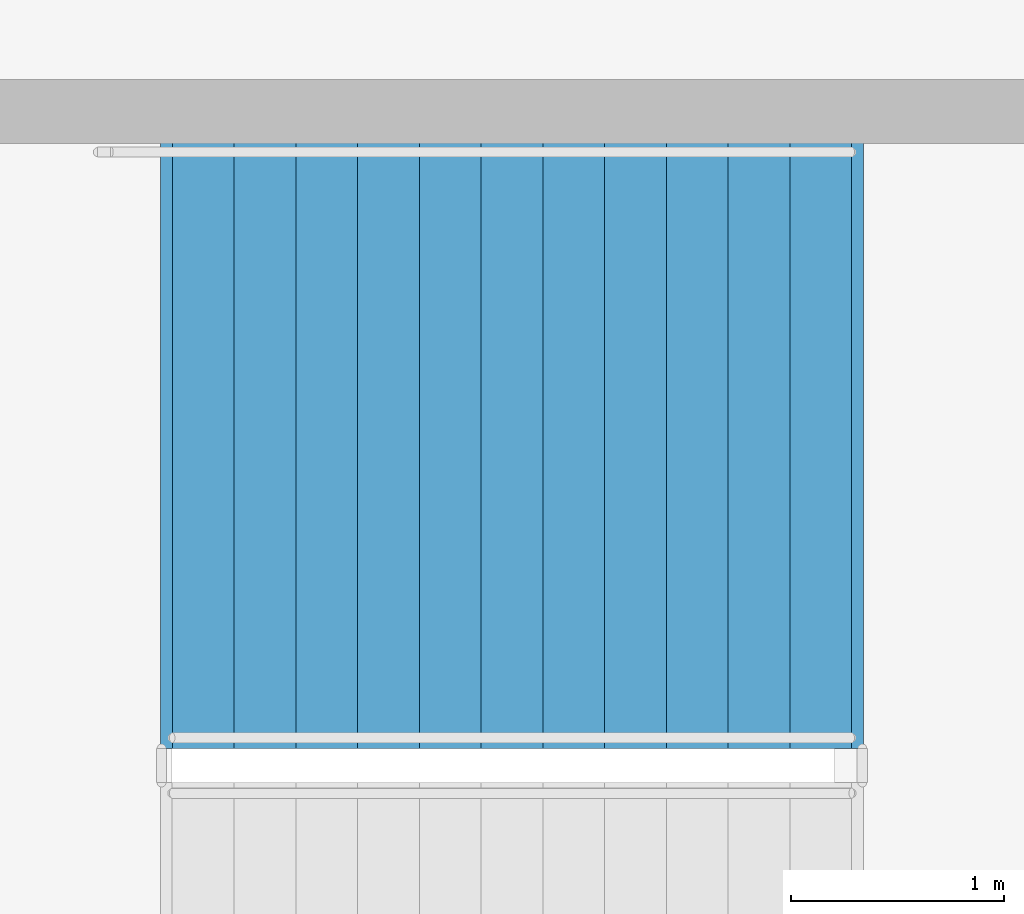
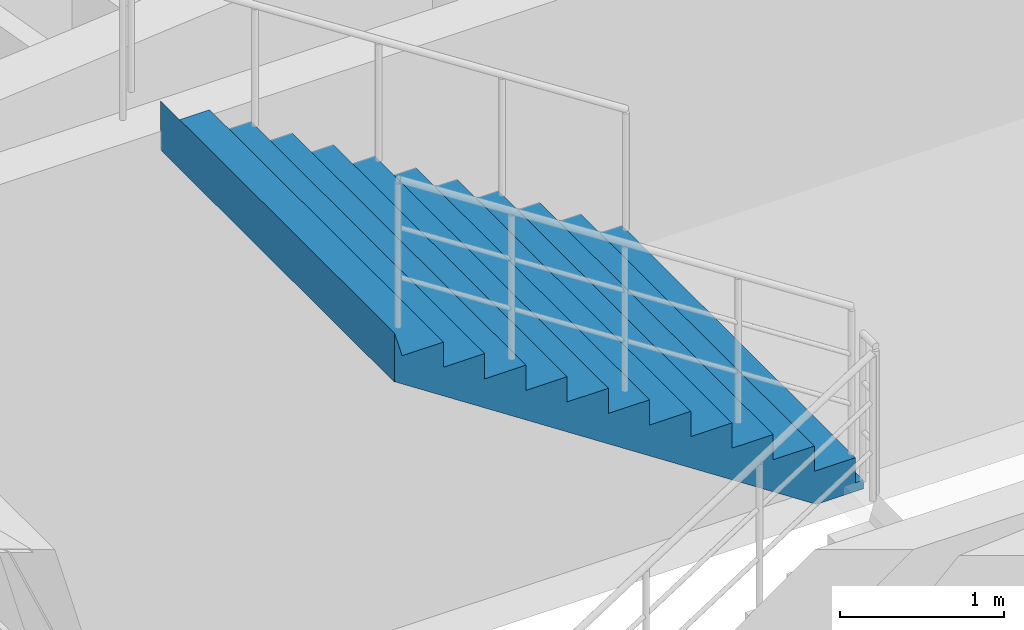
# One storey, part 34 of 45: 1 stair flight, 1 element without a shape of its own.
"""IFC4 building model written with IfcOpenShell, lengths in metres."""

from ifc_helpers import new_model, si_unit, direction, frame, origin, place, context, subcontext, project, spatial, polyline, outline, extrude, material, type_object, element, aggregate, save


model = new_model("IFC4")

# Units and contexts
model_context = context("Model", 3, precision=1e-05, world=origin(), true_north=direction((0.0, 1.0)))
body_context = subcontext(model_context, "Body", "Model", "MODEL_VIEW")
ifc_project = project(units=[si_unit("LENGTHUNIT", "METRE"), si_unit("AREAUNIT", "SQUARE_METRE"), si_unit("VOLUMEUNIT", "CUBIC_METRE"), si_unit("PLANEANGLEUNIT", "RADIAN"), si_unit("MASSUNIT", "GRAM", prefix="KILO")], contexts=[model_context])

# Site, building, storey
site_placement = place(None, origin())
site = spatial("IfcSite", under=ifc_project, at=site_placement, CompositionType="ELEMENT")
building_placement = place(site_placement, origin())
building = spatial("IfcBuilding", under=site, at=building_placement, Name="Cinderbank Siding Concert Hall", CompositionType="ELEMENT")
storey_placement = place(building_placement, frame((0.0, 0.0, 19.199951171875)))
storey = spatial("IfcBuildingStorey", under=building, at=storey_placement, Name="L05", CompositionType="ELEMENT", Elevation=19.199951171875)

# Stair, stair flight
ifc_material = material(Name="Reinforced concrete AS 3600 N50 (50 MPa)", Category="concrete")
stair_type = type_object("IfcStairType", Name="STR-J Dogleg Exit Stair 2850mm", PredefinedType="HALF_TURN_STAIR", material=ifc_material)
stair_placement = place(storey_placement, origin())
stair = element("IfcStair", 1, at=stair_placement, inside=storey, type_object=stair_type, Name="L05 Fire-isolated Exit Stair ST-01", PredefinedType="HALF_TURN_STAIR")
stair_flight_type = type_object("IfcStairFlightType", Name="SFL-J Concrete Stair Flight 2850mm", PredefinedType="STRAIGHT", material=ifc_material)
stair_flight_placement = place(storey_placement, frame((122.340087890625, 63.18505859375, 2.25), z_axis=(0.0, 0.0, 1.0), x_axis=(-1.0, 0.0, 0.0)))
stair_flight = element("IfcStairFlight", 2, at=stair_flight_placement, type_object=stair_flight_type, Name="ST-01 flight 2", NumberOfRisers=12, NumberOfTreads=11, PredefinedType="STRAIGHT", RiserHeight=0.1875, TreadLength=0.29, context=body_context, shape_type="SweptSolid", body=[
    extrude(outline(polyline([(0.0, 0.0), (0.0, 0.1875), (0.2900390625, 0.1875), (0.2900390625, 0.375), (0.580078125, 0.375), (0.580078125, 0.5625), (0.8701171875, 0.5625), (0.8701171875, 0.75), (1.159912109375, 0.75), (1.159912109375, 0.9375), (1.449951171875, 0.9375), (1.449951171875, 1.125), (1.739990234375, 1.125), (1.739990234375, 1.3125), (2.030029296875, 1.3125), (2.030029296875, 1.5), (2.320068359375, 1.5), (2.320068359375, 1.6875), (2.610107421875, 1.6875), (2.610107421875, 1.875), (2.89990234375, 1.875), (2.89990234375, 2.0625), (3.18994140625, 2.0625), (3.244873046875, 2.25), (3.244873046875, 1.884033203125), (3.24462890625, 1.88427734375), (3.24462890625, 1.884521484375), (3.24462890625, 1.884765625), (3.24462890625, 1.885009765625), (3.24462890625, 1.88525390625), (3.24462890625, 1.885498046875), (3.24462890625, 1.8857421875), (3.24462890625, 1.885986328125), (3.24462890625, 1.88623046875), (3.24462890625, 1.886474609375), (3.24462890625, 1.88671875), (3.24462890625, 1.886962890625), (3.244384765625, 1.886962890625), (3.244384765625, 1.88671875), (3.244384765625, 1.886474609375), (3.244384765625, 1.88623046875), (3.244384765625, 1.885986328125), (3.244384765625, 1.8857421875), (3.244384765625, 1.885498046875), (3.244384765625, 1.88525390625), (3.244384765625, 1.885009765625), (3.244384765625, 1.884765625), (3.244384765625, 1.884521484375), (3.244384765625, 1.88427734375), (3.244384765625, 1.884033203125), (3.244140625, 1.88427734375), (3.244140625, 1.884521484375), (3.244140625, 1.884765625), (3.244140625, 1.885009765625), (3.244140625, 1.88525390625), (3.244140625, 1.885498046875), (3.244140625, 1.8857421875), (3.244140625, 1.885986328125), (3.244140625, 1.88623046875), (3.244140625, 1.886474609375), (3.244140625, 1.88671875), (3.244140625, 1.886962890625), (3.243896484375, 1.886962890625), (3.243896484375, 1.88671875), (3.243896484375, 1.886474609375), (3.243896484375, 1.88623046875), (3.243896484375, 1.885986328125), (3.243896484375, 1.8857421875), (3.243896484375, 1.885498046875), (3.243896484375, 1.88525390625), (3.243896484375, 1.885009765625), (3.243896484375, 1.884765625), (3.243896484375, 1.884521484375), (3.243896484375, 1.88427734375), (3.243896484375, 1.884033203125), (3.24365234375, 1.88427734375), (3.24365234375, 1.884521484375), (3.24365234375, 1.884765625), (3.24365234375, 1.885009765625), (3.24365234375, 1.88525390625), (3.24365234375, 1.885498046875), (3.24365234375, 1.8857421875), (3.24365234375, 1.885986328125), (3.24365234375, 1.88623046875), (3.24365234375, 1.886474609375), (3.24365234375, 1.88671875), (3.24365234375, 1.886962890625), (3.243408203125, 1.886962890625), (3.243408203125, 1.88671875), (3.243408203125, 1.886474609375), (3.243408203125, 1.88623046875), (3.243408203125, 1.885986328125), (3.243408203125, 1.8857421875), (3.243408203125, 1.885498046875), (3.243408203125, 1.88525390625), (3.243408203125, 1.885009765625), (3.243408203125, 1.884765625), (3.243408203125, 1.884521484375), (3.243408203125, 1.88427734375), (3.243408203125, 1.884033203125), (3.2431640625, 1.88427734375), (3.2431640625, 1.884521484375), (3.2431640625, 1.884765625), (3.2431640625, 1.885009765625), (3.2431640625, 1.88525390625), (3.2431640625, 1.885498046875), (3.2431640625, 1.8857421875), (3.2431640625, 1.885986328125), (3.2431640625, 1.88623046875), (3.2431640625, 1.886474609375), (3.2431640625, 1.88671875), (3.2431640625, 1.886962890625), (3.242919921875, 1.886962890625), (3.242919921875, 1.88671875), (3.242919921875, 1.886474609375), (3.242919921875, 1.88623046875), (3.242919921875, 1.885986328125), (3.242919921875, 1.8857421875), (3.242919921875, 1.885498046875), (3.242919921875, 1.88525390625), (3.242919921875, 1.885009765625), (3.242919921875, 1.884765625), (3.242919921875, 1.884521484375), (3.242919921875, 1.88427734375), (3.242919921875, 1.884033203125), (3.24267578125, 1.88427734375), (3.24267578125, 1.884521484375), (3.24267578125, 1.884765625), (3.24267578125, 1.885009765625), (3.24267578125, 1.88525390625), (3.24267578125, 1.885498046875), (3.24267578125, 1.8857421875), (3.24267578125, 1.885986328125), (3.24267578125, 1.88623046875), (3.24267578125, 1.886474609375), (3.24267578125, 1.88671875), (3.24267578125, 1.886962890625), (3.242431640625, 1.886962890625), (3.242431640625, 1.88671875), (3.242431640625, 1.886474609375), (3.242431640625, 1.88623046875), (3.242431640625, 1.885986328125), (3.242431640625, 1.8857421875), (3.242431640625, 1.885498046875), (3.242431640625, 1.88525390625), (3.242431640625, 1.885009765625), (3.242431640625, 1.884765625), (3.242431640625, 1.884521484375), (3.242431640625, 1.88427734375), (3.242431640625, 1.884033203125), (3.2421875, 1.88427734375), (3.2421875, 1.884521484375), (3.2421875, 1.884765625), (3.2421875, 1.885009765625), (3.2421875, 1.88525390625), (3.2421875, 1.885498046875), (3.2421875, 1.8857421875), (3.2421875, 1.885986328125), (3.2421875, 1.88623046875), (3.2421875, 1.886474609375), (3.2421875, 1.88671875), (3.2421875, 1.886962890625), (3.241943359375, 1.886962890625), (3.241943359375, 1.88671875), (3.241943359375, 1.886474609375), (3.241943359375, 1.88623046875), (3.241943359375, 1.885986328125), (3.241943359375, 1.8857421875), (3.241943359375, 1.885498046875), (3.241943359375, 1.88525390625), (3.241943359375, 1.885009765625), (3.241943359375, 1.884765625), (3.241943359375, 1.884521484375), (3.241943359375, 1.88427734375), (3.241943359375, 1.884033203125), (3.24169921875, 1.88427734375), (3.24169921875, 1.884521484375), (3.24169921875, 1.884765625), (3.24169921875, 1.885009765625), (3.24169921875, 1.88525390625), (3.24169921875, 1.885498046875), (3.24169921875, 1.8857421875), (3.24169921875, 1.885986328125), (3.24169921875, 1.88623046875), (3.24169921875, 1.886474609375), (3.24169921875, 1.88671875), (3.24169921875, 1.886962890625), (3.241455078125, 1.886962890625), (3.241455078125, 1.88671875), (3.241455078125, 1.886474609375), (3.241455078125, 1.88623046875), (3.241455078125, 1.885986328125), (3.241455078125, 1.8857421875), (3.241455078125, 1.885498046875), (3.241455078125, 1.88525390625), (3.241455078125, 1.885009765625), (3.241455078125, 1.884765625), (3.241455078125, 1.884521484375), (3.241455078125, 1.88427734375), (3.241455078125, 1.884033203125), (3.2412109375, 1.88427734375), (3.2412109375, 1.884521484375), (3.2412109375, 1.884765625), (3.2412109375, 1.885009765625), (3.2412109375, 1.88525390625), (3.2412109375, 1.885498046875), (3.2412109375, 1.8857421875), (3.2412109375, 1.885986328125), (3.2412109375, 1.88623046875), (3.2412109375, 1.886474609375), (3.2412109375, 1.88671875), (3.2412109375, 1.886962890625), (3.240966796875, 1.886962890625), (3.240966796875, 1.88671875), (3.240966796875, 1.886474609375), (3.240966796875, 1.88623046875), (3.240966796875, 1.885986328125), (3.240966796875, 1.8857421875), (3.240966796875, 1.885498046875), (3.240966796875, 1.88525390625), (3.240966796875, 1.885009765625), (3.240966796875, 1.884765625), (3.240966796875, 1.884521484375), (3.240966796875, 1.88427734375), (3.240966796875, 1.884033203125), (3.24072265625, 1.88427734375), (3.24072265625, 1.884521484375), (3.24072265625, 1.884765625), (3.24072265625, 1.885009765625), (3.24072265625, 1.88525390625), (3.24072265625, 1.885498046875), (3.24072265625, 1.8857421875), (3.24072265625, 1.885986328125), (3.24072265625, 1.88623046875), (3.24072265625, 1.886474609375), (3.24072265625, 1.88671875), (3.24072265625, 1.886962890625), (3.240478515625, 1.886962890625), (3.240478515625, 1.88671875), (3.240478515625, 1.886474609375), (3.240478515625, 1.88623046875), (3.240478515625, 1.885986328125), (3.240478515625, 1.8857421875), (3.240478515625, 1.885498046875), (3.240478515625, 1.88525390625), (3.240478515625, 1.885009765625), (3.240478515625, 1.884765625), (3.240478515625, 1.884521484375), (3.240478515625, 1.88427734375), (3.240478515625, 1.884033203125), (3.240234375, 1.88427734375), (3.240234375, 1.884521484375), (3.240234375, 1.884765625), (3.240234375, 1.885009765625), (3.240234375, 1.88525390625), (3.240234375, 1.885498046875), (3.240234375, 1.8857421875), (3.240234375, 1.885986328125), (3.240234375, 1.88623046875), (3.240234375, 1.886474609375), (3.240234375, 1.88671875), (3.240234375, 1.886962890625), (3.239990234375, 1.886962890625), (3.239990234375, 1.88671875), (3.239990234375, 1.886474609375), (3.239990234375, 1.88623046875), (3.239990234375, 1.885986328125), (3.239990234375, 1.8857421875), (3.239990234375, 1.885498046875), (3.239990234375, 1.88525390625), (3.239990234375, 1.885009765625), (3.239990234375, 1.884765625), (3.239990234375, 1.884521484375), (3.239990234375, 1.88427734375), (3.239990234375, 1.884033203125), (3.23974609375, 1.88427734375), (3.23974609375, 1.884521484375), (3.23974609375, 1.884765625), (3.23974609375, 1.885009765625), (3.23974609375, 1.88525390625), (3.23974609375, 1.885498046875), (3.23974609375, 1.8857421875), (3.23974609375, 1.885986328125), (3.23974609375, 1.88623046875), (3.23974609375, 1.886474609375), (3.23974609375, 1.88671875), (3.23974609375, 1.886962890625), (3.239501953125, 1.886962890625), (3.239501953125, 1.88671875), (3.239501953125, 1.886474609375), (3.239501953125, 1.88623046875), (3.239501953125, 1.885986328125), (3.239501953125, 1.8857421875), (3.239501953125, 1.885498046875), (3.239501953125, 1.88525390625), (3.239501953125, 1.885009765625), (3.239501953125, 1.884765625), (3.239501953125, 1.884521484375), (3.239501953125, 1.88427734375), (3.239501953125, 1.884033203125), (3.2392578125, 1.88427734375), (3.2392578125, 1.884521484375), (3.2392578125, 1.884765625), (3.2392578125, 1.885009765625), (3.2392578125, 1.88525390625), (3.2392578125, 1.885498046875), (3.2392578125, 1.8857421875), (3.2392578125, 1.885986328125), (3.2392578125, 1.88623046875), (3.2392578125, 1.886474609375), (3.2392578125, 1.88671875), (3.2392578125, 1.886962890625), (3.239013671875, 1.886962890625), (3.239013671875, 1.88671875), (3.239013671875, 1.886474609375), (3.239013671875, 1.88623046875), (3.239013671875, 1.885986328125), (3.239013671875, 1.8857421875), (3.239013671875, 1.885498046875), (3.239013671875, 1.88525390625), (3.239013671875, 1.885009765625), (3.239013671875, 1.884765625), (3.239013671875, 1.884521484375), (3.239013671875, 1.88427734375), (3.239013671875, 1.884033203125), (3.23876953125, 1.88427734375), (3.23876953125, 1.884521484375), (3.23876953125, 1.884765625), (3.23876953125, 1.885009765625), (3.23876953125, 1.88525390625), (3.23876953125, 1.885498046875), (3.23876953125, 1.8857421875), (3.23876953125, 1.885986328125), (3.23876953125, 1.88623046875), (3.23876953125, 1.886474609375), (3.23876953125, 1.88671875), (3.23876953125, 1.886962890625), (3.238525390625, 1.886962890625), (3.238525390625, 1.88671875), (3.238525390625, 1.886474609375), (3.238525390625, 1.88623046875), (3.238525390625, 1.885986328125), (3.238525390625, 1.8857421875), (3.238525390625, 1.885498046875), (3.238525390625, 1.88525390625), (3.238525390625, 1.885009765625), (3.238525390625, 1.884765625), (3.238525390625, 1.884521484375), (3.238525390625, 1.88427734375), (3.238525390625, 1.884033203125), (0.276123046875, -0.06396484375), (-0.048583984375, -0.063720703125), (-0.048583984375, -0.0634765625), (-0.048583984375, -0.063232421875), (-0.048583984375, -0.06298828125), (-0.048583984375, -0.062744140625), (-0.048583984375, -0.0625), (-0.048583984375, -0.062255859375), (-0.048583984375, -0.06201171875), (-0.048583984375, -0.061767578125), (-0.048583984375, -0.0615234375), (-0.048583984375, -0.061279296875), (-0.048583984375, -0.06103515625), (-0.048828125, -0.06103515625), (-0.048828125, -0.061279296875), (-0.048828125, -0.0615234375), (-0.048828125, -0.061767578125), (-0.048828125, -0.06201171875), (-0.048828125, -0.062255859375), (-0.048828125, -0.0625), (-0.048828125, -0.062744140625), (-0.048828125, -0.06298828125), (-0.048828125, -0.063232421875), (-0.048828125, -0.0634765625), (-0.048828125, -0.063720703125), (-0.048828125, -0.06396484375), (-0.049072265625, -0.063720703125), (-0.049072265625, -0.0634765625), (-0.049072265625, -0.063232421875), (-0.049072265625, -0.06298828125), (-0.049072265625, -0.062744140625), (-0.049072265625, -0.0625), (-0.049072265625, -0.062255859375), (-0.049072265625, -0.06201171875), (-0.049072265625, -0.061767578125), (-0.049072265625, -0.0615234375), (-0.049072265625, -0.061279296875), (-0.049072265625, -0.06103515625), (-0.04931640625, -0.06103515625), (-0.04931640625, -0.061279296875), (-0.04931640625, -0.0615234375), (-0.04931640625, -0.061767578125), (-0.04931640625, -0.06201171875), (-0.04931640625, -0.062255859375), (-0.04931640625, -0.0625), (-0.04931640625, -0.062744140625), (-0.04931640625, -0.06298828125), (-0.04931640625, -0.063232421875), (-0.04931640625, -0.0634765625), (-0.04931640625, -0.063720703125), (-0.04931640625, -0.06396484375), (-0.049560546875, -0.063720703125), (-0.049560546875, -0.0634765625), (-0.049560546875, -0.063232421875), (-0.049560546875, -0.06298828125), (-0.049560546875, -0.062744140625), (-0.049560546875, -0.0625), (-0.049560546875, -0.062255859375), (-0.049560546875, -0.06201171875), (-0.049560546875, -0.061767578125), (-0.049560546875, -0.0615234375), (-0.049560546875, -0.061279296875), (-0.049560546875, -0.06103515625), (-0.0498046875, -0.06103515625), (-0.0498046875, -0.061279296875), (-0.0498046875, -0.0615234375), (-0.0498046875, -0.061767578125), (-0.0498046875, -0.06201171875), (-0.0498046875, -0.062255859375), (-0.0498046875, -0.0625), (-0.0498046875, -0.062744140625), (-0.0498046875, -0.06298828125), (-0.0498046875, -0.063232421875), (-0.0498046875, -0.0634765625), (-0.0498046875, -0.063720703125), (-0.0498046875, -0.06396484375), (-0.050048828125, -0.063720703125), (-0.050048828125, -0.0634765625), (-0.050048828125, -0.063232421875), (-0.050048828125, -0.06298828125), (-0.050048828125, -0.062744140625), (-0.050048828125, -0.0625), (-0.050048828125, -0.062255859375), (-0.050048828125, -0.06201171875), (-0.050048828125, -0.061767578125), (-0.050048828125, -0.0615234375), (-0.050048828125, -0.061279296875), (-0.050048828125, -0.06103515625), (-0.05029296875, -0.06103515625), (-0.05029296875, -0.061279296875), (-0.05029296875, -0.0615234375), (-0.05029296875, -0.061767578125), (-0.05029296875, -0.06201171875), (-0.05029296875, -0.062255859375), (-0.05029296875, -0.0625), (-0.05029296875, -0.062744140625), (-0.05029296875, -0.06298828125), (-0.05029296875, -0.063232421875), (-0.05029296875, -0.0634765625), (-0.05029296875, -0.063720703125), (-0.05029296875, -0.06396484375), (-0.050537109375, -0.063720703125), (-0.050537109375, -0.0634765625), (-0.050537109375, -0.063232421875), (-0.050537109375, -0.06298828125), (-0.050537109375, -0.062744140625), (-0.050537109375, -0.0625), (-0.050537109375, -0.062255859375), (-0.050537109375, -0.06201171875), (-0.050537109375, -0.061767578125), (-0.050537109375, -0.0615234375), (-0.050537109375, -0.061279296875), (-0.050537109375, -0.06103515625), (-0.05078125, -0.06103515625), (-0.05078125, -0.061279296875), (-0.05078125, -0.0615234375), (-0.05078125, -0.061767578125), (-0.05078125, -0.06201171875), (-0.05078125, -0.062255859375), (-0.05078125, -0.0625), (-0.05078125, -0.062744140625), (-0.05078125, -0.06298828125), (-0.05078125, -0.063232421875), (-0.05078125, -0.0634765625), (-0.05078125, -0.063720703125), (-0.05078125, -0.06396484375), (-0.051025390625, -0.063720703125), (-0.051025390625, -0.0634765625), (-0.051025390625, -0.063232421875), (-0.051025390625, -0.06298828125), (-0.051025390625, -0.062744140625), (-0.051025390625, -0.0625), (-0.051025390625, -0.062255859375), (-0.051025390625, -0.06201171875), (-0.051025390625, -0.061767578125), (-0.051025390625, -0.0615234375), (-0.051025390625, -0.061279296875), (-0.051025390625, -0.06103515625), (-0.05126953125, -0.06103515625), (-0.05126953125, -0.061279296875), (-0.05126953125, -0.0615234375), (-0.05126953125, -0.061767578125), (-0.05126953125, -0.06201171875), (-0.05126953125, -0.062255859375), (-0.05126953125, -0.0625), (-0.05126953125, -0.062744140625), (-0.05126953125, -0.06298828125), (-0.05126953125, -0.063232421875), (-0.05126953125, -0.0634765625), (-0.05126953125, -0.063720703125), (-0.05126953125, -0.06396484375), (-0.051513671875, -0.063720703125), (-0.051513671875, -0.0634765625), (-0.051513671875, -0.063232421875), (-0.051513671875, -0.06298828125), (-0.051513671875, -0.062744140625), (-0.051513671875, -0.0625), (-0.051513671875, -0.062255859375), (-0.051513671875, -0.06201171875), (-0.051513671875, -0.061767578125), (-0.051513671875, -0.0615234375), (-0.051513671875, -0.061279296875), (-0.051513671875, -0.06103515625), (-0.0517578125, -0.06103515625), (-0.0517578125, -0.061279296875), (-0.0517578125, -0.0615234375), (-0.0517578125, -0.061767578125), (-0.0517578125, -0.06201171875), (-0.0517578125, -0.062255859375), (-0.0517578125, -0.0625), (-0.0517578125, -0.062744140625), (-0.0517578125, -0.06298828125), (-0.0517578125, -0.063232421875), (-0.0517578125, -0.0634765625), (-0.0517578125, -0.063720703125), (-0.0517578125, -0.06396484375), (-0.052001953125, -0.063720703125), (-0.052001953125, -0.0634765625), (-0.052001953125, -0.063232421875), (-0.052001953125, -0.06298828125), (-0.052001953125, -0.062744140625), (-0.052001953125, -0.0625), (-0.052001953125, -0.062255859375), (-0.052001953125, -0.06201171875), (-0.052001953125, -0.061767578125), (-0.052001953125, -0.0615234375), (-0.052001953125, -0.061279296875), (-0.052001953125, -0.06103515625), (-0.05224609375, -0.06103515625), (-0.05224609375, -0.061279296875), (-0.05224609375, -0.0615234375), (-0.05224609375, -0.061767578125), (-0.05224609375, -0.06201171875), (-0.05224609375, -0.062255859375), (-0.05224609375, -0.0625), (-0.05224609375, -0.062744140625), (-0.05224609375, -0.06298828125), (-0.05224609375, -0.063232421875), (-0.05224609375, -0.0634765625), (-0.05224609375, -0.063720703125), (-0.05224609375, -0.06396484375), (-0.052490234375, -0.063720703125), (-0.052490234375, -0.0634765625), (-0.052490234375, -0.063232421875), (-0.052490234375, -0.06298828125), (-0.052490234375, -0.062744140625), (-0.052490234375, -0.0625), (-0.052490234375, -0.062255859375), (-0.052490234375, -0.06201171875), (-0.052490234375, -0.061767578125), (-0.052490234375, -0.0615234375), (-0.052490234375, -0.061279296875), (-0.052490234375, -0.06103515625), (-0.052734375, -0.06103515625), (-0.052734375, -0.061279296875), (-0.052734375, -0.0615234375), (-0.052734375, -0.061767578125), (-0.052734375, -0.06201171875), (-0.052734375, -0.062255859375), (-0.052734375, -0.0625), (-0.052734375, -0.062744140625), (-0.052734375, -0.06298828125), (-0.052734375, -0.063232421875), (-0.052734375, -0.0634765625), (-0.052734375, -0.063720703125), (-0.052734375, -0.06396484375), (-0.052978515625, -0.063720703125), (-0.052978515625, -0.0634765625), (-0.052978515625, -0.063232421875), (-0.052978515625, -0.06298828125), (-0.052978515625, -0.062744140625), (-0.052978515625, -0.0625), (-0.052978515625, -0.062255859375), (-0.052978515625, -0.06201171875), (-0.052978515625, -0.061767578125), (-0.052978515625, -0.0615234375), (-0.052978515625, -0.061279296875), (-0.052978515625, -0.06103515625), (-0.05322265625, -0.06103515625), (-0.05322265625, -0.061279296875), (-0.05322265625, -0.0615234375), (-0.05322265625, -0.061767578125), (-0.05322265625, -0.06201171875), (-0.05322265625, -0.062255859375), (-0.05322265625, -0.0625), (-0.05322265625, -0.062744140625), (-0.05322265625, -0.06298828125), (-0.05322265625, -0.063232421875), (-0.05322265625, -0.0634765625), (-0.05322265625, -0.063720703125), (-0.05322265625, -0.06396484375), (-0.053466796875, -0.063720703125), (-0.053466796875, -0.0634765625), (-0.053466796875, -0.063232421875), (-0.053466796875, -0.06298828125), (-0.053466796875, -0.062744140625), (-0.053466796875, -0.0625), (-0.053466796875, -0.062255859375), (-0.053466796875, -0.06201171875), (-0.053466796875, -0.061767578125), (-0.053466796875, -0.0615234375), (-0.053466796875, -0.061279296875), (-0.053466796875, -0.06103515625), (-0.0537109375, -0.06103515625), (-0.0537109375, -0.061279296875), (-0.0537109375, -0.0615234375), (-0.0537109375, -0.061767578125), (-0.0537109375, -0.06201171875), (-0.0537109375, -0.062255859375), (-0.0537109375, -0.0625), (-0.0537109375, -0.062744140625), (-0.0537109375, -0.06298828125), (-0.0537109375, -0.063232421875), (-0.0537109375, -0.0634765625), (-0.0537109375, -0.063720703125), (-0.0537109375, -0.06396484375), (-0.053955078125, -0.063720703125), (-0.053955078125, -0.0634765625), (-0.053955078125, -0.063232421875), (-0.053955078125, -0.06298828125), (-0.053955078125, -0.062744140625), (-0.053955078125, -0.0625), (-0.053955078125, -0.062255859375), (-0.053955078125, -0.06201171875), (-0.053955078125, -0.061767578125), (-0.053955078125, -0.0615234375), (-0.053955078125, -0.061279296875), (-0.053955078125, -0.06103515625), (-0.05419921875, -0.06103515625), (-0.05419921875, -0.061279296875), (-0.05419921875, -0.0615234375), (-0.05419921875, -0.061767578125), (-0.05419921875, -0.06201171875), (-0.05419921875, -0.062255859375), (-0.05419921875, -0.0625), (-0.05419921875, -0.062744140625), (-0.05419921875, -0.06298828125), (-0.05419921875, -0.063232421875), (-0.05419921875, -0.0634765625), (-0.05419921875, -0.063720703125), (-0.05419921875, -0.06396484375), (-0.054443359375, -0.063720703125), (-0.054443359375, -0.0634765625), (-0.054443359375, -0.063232421875), (-0.054443359375, -0.06298828125), (-0.054443359375, -0.062744140625), (-0.054443359375, -0.0625), (-0.054443359375, -0.062255859375), (-0.054443359375, -0.06201171875), (-0.054443359375, -0.061767578125), (-0.054443359375, -0.0615234375), (-0.054443359375, -0.061279296875), (-0.054443359375, -0.06103515625), (-0.0546875, -0.06103515625), (-0.0546875, -0.061279296875), (-0.0546875, -0.0615234375), (-0.0546875, -0.061767578125), (-0.0546875, -0.06201171875), (-0.0546875, -0.062255859375), (-0.0546875, -0.0625), (-0.0546875, -0.062744140625), (-0.0546875, -0.06298828125), (-0.0546875, -0.063232421875), (-0.0546875, -0.0634765625), (-0.0546875, -0.063720703125), (-0.0546875, -0.06396484375), (-0.054931640625, -0.06396484375), (-0.054931640625, 0.0), (0.0, 0.0)])), frame((0.0, 1.425048828125, 0.0), z_axis=(0.0, -1.0, 0.0), x_axis=(1.0, 0.0, 0.0)), (0.0, 0.0, 1.0), 2.85009765625),
])
aggregate(stair, [stair_flight])

save(model, "model.ifc")
